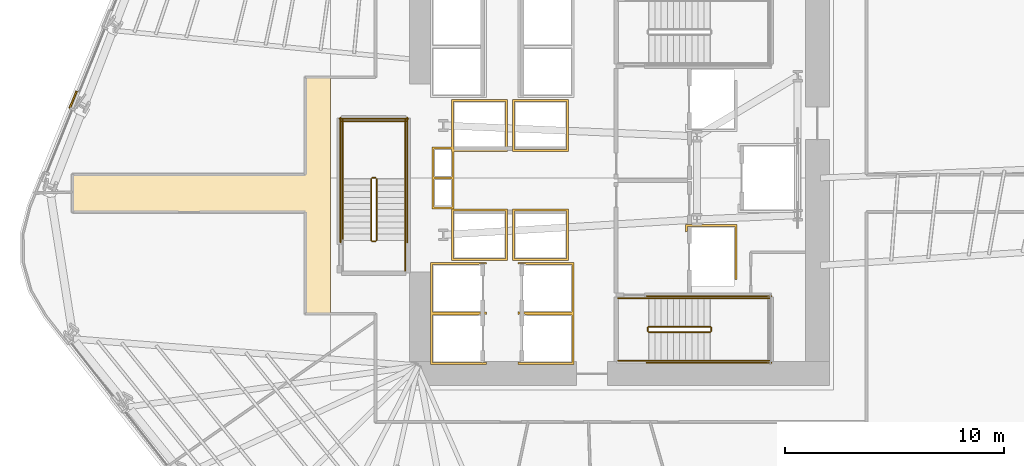
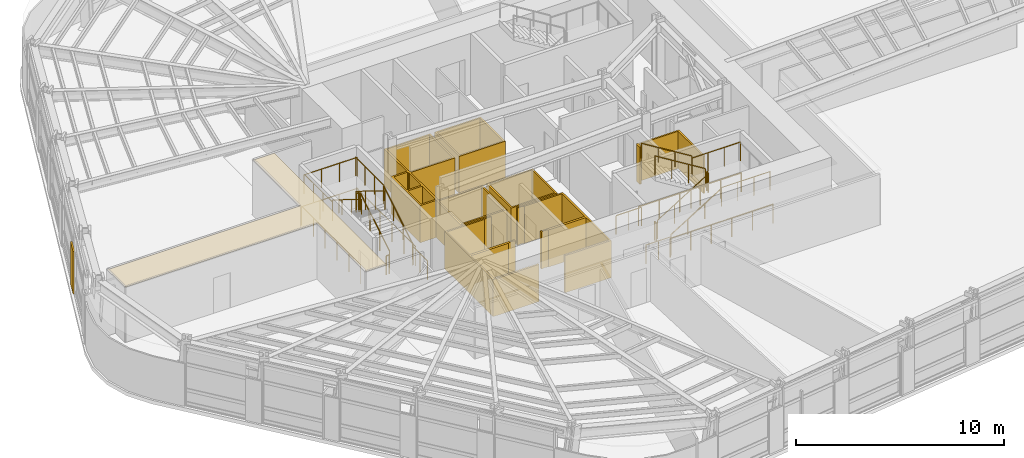
# One storey, part 11 of 16: 25 railings, 9 coverings.
"""IFC4 building model written with IfcOpenShell, lengths in metres."""

from ifc_helpers import new_model, si_unit, direction, frame, origin, origin_2d, place, context, subcontext, project, spatial, polyline, circle, outline, extrude, material, layer, layer_set, type_object, element, save


model = new_model("IFC4")

# Units and contexts
model_context = context("Model", 3, precision=1e-05, world=origin(), true_north=direction((0.0, 1.0)))
body_context = subcontext(model_context, "Body", "Model", "MODEL_VIEW")
ifc_project = project(units=[si_unit("LENGTHUNIT", "METRE"), si_unit("AREAUNIT", "SQUARE_METRE"), si_unit("VOLUMEUNIT", "CUBIC_METRE"), si_unit("PLANEANGLEUNIT", "RADIAN"), si_unit("MASSUNIT", "GRAM", prefix="KILO")], contexts=[model_context])

# Site, building, storey
site_placement = place(None, origin())
site = spatial("IfcSite", under=ifc_project, at=site_placement, CompositionType="ELEMENT")
building_placement = place(site_placement, origin())
building = spatial("IfcBuilding", under=site, at=building_placement, Name="Valkerne Bourse Tower", CompositionType="ELEMENT")
storey_placement = place(building_placement, frame((0.0, 0.0, 58.199951171875)))
storey = spatial("IfcBuildingStorey", under=building, at=storey_placement, Name="L14", CompositionType="ELEMENT", Elevation=58.199951171875)

# Coverings
ifc_material_1 = material(Name="Bronze Anodised Aluminium AA 6063-T6", Category="aluminium")
ifc_layer_1 = layer(ifc_material_1, 0.030029296875)
ifc_layer_set_1 = layer_set([ifc_layer_1], Name="Bronze Anodised Aluminium AA 6063-T6")
covering_type_1 = type_object("IfcCoveringType", Name="COV-CEIL-METAL", PredefinedType="CEILING", material=ifc_layer_set_1)
covering_1_placement = place(storey_placement, frame((0.0, 0.0, 3.22998046875)))
element("IfcCovering", 1, at=covering_1_placement, inside=storey, type_object=covering_type_1, Name="L14 Suspended Ceiling 02", PredefinedType="CEILING", context=body_context, shape_type="SweptSolid", body=[
    extrude(outline(polyline([(32.4541015625, 20.803955078125), (32.4541015625, 25.4541015625), (21.803955078125, 25.4541015625), (21.803955078125, 27.14599609375), (32.4541015625, 27.14599609375), (32.4541015625, 31.595947265625), (33.60009765625, 31.595947265625), (33.60009765625, 20.803955078125), (32.4541015625, 20.803955078125)])), origin(), (0.0, 0.0, 1.0), 0.025146484375),
])
ifc_layer_2 = layer(ifc_material_1, 0.06005859375)
ifc_layer_set_2 = layer_set([ifc_layer_2], Name="Bronze Anodised Aluminium AA 6063-T6")
covering_type_2 = type_object("IfcCoveringType", Name="COV-CRN-ALUM", PredefinedType="CLADDING", material=ifc_layer_set_2)
covering_2_placement = place(storey_placement, origin())
element("IfcCovering", 2, at=covering_2_placement, inside=storey, type_object=covering_type_2, Name="L14 Wind-Shaped Corner Aluminium Cladding 12", PredefinedType="CLADDING", context=body_context, shape_type="SweptSolid", body=[
    extrude(outline(polyline([(21.951416015625, 30.981689453125), (22.025634765625, 30.95166015625), (21.710205078125, 30.173095703125), (21.635986328125, 30.202880859375), (21.951416015625, 30.981689453125)])), origin(), (0.0, 0.0, 1.0), 2.5),
])
ifc_material_2 = material(Name="Gypsum Shaftwall Liner Board", Category="gypsum")
ifc_layer_3 = layer(ifc_material_2, 0.080078125)
ifc_layer_set_3 = layer_set([ifc_layer_3], Name="Gypsum Shaftwall Liner Board")
covering_type_3 = type_object("IfcCoveringType", Name="COV-SHF-CLAD", PredefinedType="CLADDING", material=ifc_layer_set_3)
covering_3_placement = place(storey_placement, origin())
element("IfcCovering", 3, at=covering_3_placement, inside=storey, type_object=covering_type_3, Name="L14 Hoistway & Riser Shaftwall Liner 01", PredefinedType="CLADDING", context=body_context, shape_type="SweptSolid", body=[
    extrude(outline(polyline([(38.169921875, 23.1298828125), (40.72998046875, 23.1298828125), (40.72998046875, 23.052001953125), (40.72216796875, 23.0556640625), (40.6806640625, 23.070556640625), (40.6376953125, 23.081298828125), (40.593994140625, 23.087890625), (40.550048828125, 23.090087890625), (40.505859375, 23.087890625), (40.462158203125, 23.081298828125), (40.41943359375, 23.070556640625), (40.377685546875, 23.0556640625), (40.344482421875, 23.0400390625), (38.260009765625, 23.0400390625), (38.260009765625, 20.860107421875), (40.456787109375, 20.860107421875), (40.462158203125, 20.858642578125), (40.505859375, 20.852294921875), (40.550048828125, 20.85009765625), (40.593994140625, 20.852294921875), (40.6376953125, 20.858642578125), (40.6806640625, 20.869384765625), (40.72216796875, 20.88427734375), (40.72998046875, 20.887939453125), (40.72998046875, 20.830078125), (40.72998046875, 20.77001953125), (40.72998046875, 20.752197265625), (40.72216796875, 20.755615234375), (40.6806640625, 20.7705078125), (40.6376953125, 20.781494140625), (40.593994140625, 20.787841796875), (40.550048828125, 20.7900390625), (40.505859375, 20.787841796875), (40.462158203125, 20.781494140625), (40.41943359375, 20.7705078125), (40.377685546875, 20.755615234375), (40.344482421875, 20.739990234375), (38.260009765625, 20.739990234375), (38.260009765625, 18.56005859375), (40.456787109375, 18.56005859375), (40.462158203125, 18.55859375), (40.505859375, 18.55224609375), (40.550048828125, 18.550048828125), (40.593994140625, 18.55224609375), (40.6376953125, 18.55859375), (40.6806640625, 18.5693359375), (40.72216796875, 18.584228515625), (40.72998046875, 18.587890625), (40.72998046875, 18.469970703125), (38.169921875, 18.469970703125), (38.169921875, 20.77001953125), (38.169921875, 20.830078125), (38.169921875, 23.1298828125)])), origin(), (0.0, 0.0, 1.0), 2.179931640625),
])
covering_4_placement = place(storey_placement, origin())
element("IfcCovering", 4, at=covering_4_placement, inside=storey, type_object=covering_type_3, Name="L14 Hoistway & Riser Shaftwall Liner 02", PredefinedType="CLADDING", context=body_context, shape_type="SweptSolid", body=[
    extrude(outline(polyline([(41.679931640625, 23.219970703125), (39.1201171875, 23.219970703125), (39.1201171875, 25.580078125), (41.679931640625, 25.580078125), (41.679931640625, 23.219970703125)]), holes=[polyline([(39.2099609375, 25.489990234375), (39.2099609375, 23.31005859375), (41.590087890625, 23.31005859375), (41.590087890625, 25.489990234375), (39.2099609375, 25.489990234375)])]), origin(), (0.0, 0.0, 1.0), 2.179931640625),
])
covering_5_placement = place(storey_placement, origin())
element("IfcCovering", 5, at=covering_5_placement, inside=storey, type_object=covering_type_3, Name="L14 Hoistway & Riser Shaftwall Liner 03", PredefinedType="CLADDING", context=body_context, shape_type="SweptSolid", body=[
    extrude(outline(polyline([(44.47998046875, 23.219970703125), (41.919921875, 23.219970703125), (41.919921875, 25.580078125), (44.47998046875, 25.580078125), (44.47998046875, 23.219970703125)]), holes=[polyline([(42.010009765625, 25.489990234375), (42.010009765625, 23.31005859375), (44.389892578125, 23.31005859375), (44.389892578125, 25.489990234375), (42.010009765625, 25.489990234375)])]), origin(), (0.0, 0.0, 1.0), 2.179931640625),
])
covering_6_placement = place(storey_placement, origin())
element("IfcCovering", 6, at=covering_6_placement, inside=storey, type_object=covering_type_3, Name="L14 Hoistway & Riser Shaftwall Liner 04", PredefinedType="CLADDING", context=body_context, shape_type="SweptSolid", body=[
    extrude(outline(polyline([(38.239990234375, 28.409912109375), (39.1201171875, 28.409912109375), (39.1201171875, 30.580078125), (41.679931640625, 30.580078125), (41.679931640625, 28.219970703125), (39.239990234375, 28.219970703125), (39.239990234375, 27.0400390625), (39.239990234375, 26.9599609375), (39.239990234375, 25.590087890625), (38.239990234375, 25.590087890625), (38.239990234375, 26.9599609375), (38.239990234375, 27.0400390625), (38.239990234375, 28.409912109375)]), holes=[polyline([(39.2099609375, 30.489990234375), (39.2099609375, 28.409912109375), (39.239990234375, 28.409912109375), (39.239990234375, 28.31005859375), (41.590087890625, 28.31005859375), (41.590087890625, 30.489990234375), (39.2099609375, 30.489990234375)]), polyline([(38.330078125, 26.949951171875), (38.330078125, 25.679931640625), (39.14990234375, 25.679931640625), (39.14990234375, 26.949951171875), (38.330078125, 26.949951171875)]), polyline([(39.1201171875, 28.219970703125), (39.1201171875, 28.320068359375), (38.330078125, 28.320068359375), (38.330078125, 27.050048828125), (39.14990234375, 27.050048828125), (39.14990234375, 28.219970703125), (39.1201171875, 28.219970703125)])]), origin(), (0.0, 0.0, 1.0), 2.179931640625),
])
covering_7_placement = place(storey_placement, origin())
element("IfcCovering", 7, at=covering_7_placement, inside=storey, type_object=covering_type_3, Name="L14 Hoistway & Riser Shaftwall Liner 06", PredefinedType="CLADDING", context=body_context, shape_type="SweptSolid", body=[
    extrude(outline(polyline([(42.169921875, 20.830078125), (42.169921875, 20.887939453125), (42.177734375, 20.88427734375), (42.219482421875, 20.869384765625), (42.26220703125, 20.858642578125), (42.305908203125, 20.852294921875), (42.35009765625, 20.85009765625), (42.39404296875, 20.852294921875), (42.437744140625, 20.858642578125), (42.443115234375, 20.860107421875), (44.639892578125, 20.860107421875), (44.639892578125, 23.0400390625), (42.555419921875, 23.0400390625), (42.522216796875, 23.0556640625), (42.480712890625, 23.070556640625), (42.437744140625, 23.081298828125), (42.39404296875, 23.087890625), (42.35009765625, 23.090087890625), (42.305908203125, 23.087890625), (42.26220703125, 23.081298828125), (42.219482421875, 23.070556640625), (42.177734375, 23.0556640625), (42.169921875, 23.052001953125), (42.169921875, 23.1298828125), (44.72998046875, 23.1298828125), (44.72998046875, 20.830078125), (44.72998046875, 20.77001953125), (44.72998046875, 18.469970703125), (42.169921875, 18.469970703125), (42.169921875, 18.587890625), (42.177734375, 18.584228515625), (42.219482421875, 18.5693359375), (42.26220703125, 18.55859375), (42.305908203125, 18.55224609375), (42.35009765625, 18.550048828125), (42.39404296875, 18.55224609375), (42.437744140625, 18.55859375), (42.443115234375, 18.56005859375), (44.639892578125, 18.56005859375), (44.639892578125, 20.739990234375), (42.555419921875, 20.739990234375), (42.522216796875, 20.755615234375), (42.480712890625, 20.7705078125), (42.437744140625, 20.781494140625), (42.39404296875, 20.787841796875), (42.35009765625, 20.7900390625), (42.305908203125, 20.787841796875), (42.26220703125, 20.781494140625), (42.219482421875, 20.7705078125), (42.177734375, 20.755615234375), (42.169921875, 20.752197265625), (42.169921875, 20.77001953125), (42.169921875, 20.830078125)])), origin(), (0.0, 0.0, 1.0), 2.179931640625),
])
covering_8_placement = place(storey_placement, origin())
element("IfcCovering", 8, at=covering_8_placement, inside=storey, type_object=covering_type_3, Name="L14 Hoistway & Riser Shaftwall Liner 07", PredefinedType="CLADDING", context=body_context, shape_type="SweptSolid", body=[
    extrude(outline(polyline([(52.179931640625, 22.35009765625), (52.090087890625, 22.35009765625), (52.090087890625, 24.7900390625), (49.909912109375, 24.7900390625), (49.909912109375, 24.560791015625), (49.869384765625, 24.550537109375), (49.827880859375, 24.53564453125), (49.820068359375, 24.531982421875), (49.820068359375, 24.8798828125), (52.179931640625, 24.8798828125), (52.179931640625, 22.35009765625)])), origin(), (0.0, 0.0, 1.0), 2.179931640625),
])
covering_9_placement = place(storey_placement, origin())
element("IfcCovering", 9, at=covering_9_placement, inside=storey, type_object=covering_type_3, Name="L14 Hoistway & Riser Shaftwall Liner 09", PredefinedType="CLADDING", context=body_context, shape_type="SweptSolid", body=[
    extrude(outline(polyline([(44.47998046875, 28.219970703125), (41.919921875, 28.219970703125), (41.919921875, 30.580078125), (44.47998046875, 30.580078125), (44.47998046875, 28.219970703125)]), holes=[polyline([(42.010009765625, 30.489990234375), (42.010009765625, 28.31005859375), (44.389892578125, 28.31005859375), (44.389892578125, 30.489990234375), (42.010009765625, 30.489990234375)])]), origin(), (0.0, 0.0, 1.0), 2.179931640625),
])

# Railings
ifc_material_3 = material(Name="Galvanised Painted Steel", Category="steel")
railing_type_1 = type_object("IfcRailingType", Name="RLG-ST-GUARD-1120", PredefinedType="GUARDRAIL", material=ifc_material_3)
railing_1_placement = place(storey_placement, frame((48.14990234375, 19.949951171875, 0.1728515625)))
element("IfcRailing", 10, at=railing_1_placement, inside=storey, type_object=railing_type_1, Name="L14 ST-1 stair guard 1", PredefinedType="GUARDRAIL", context=body_context, shape_type="SweptSolid", body=[
    extrude(circle(Radius=0.02392578125, at=origin_2d()), frame((0.0, 0.0, 1.09619140625), z_axis=(0.851089632645, 0.0, 0.525020415988), x_axis=(0.0, 1.0, 0.0)), (0.0, 0.0, 1.0), 3.2900390625),
    extrude(circle(Radius=0.02099609375, at=origin_2d()), origin(), (0.0, 0.0, 1.0), 1.072021484375),
    extrude(circle(Radius=0.02099609375, at=origin_2d()), frame((0.933349609375, 0.0, 0.57568359375)), (0.0, 0.0, 1.0), 1.072021484375),
    extrude(circle(Radius=0.02099609375, at=origin_2d()), frame((1.86669921875, 0.0, 1.151611328125)), (0.0, 0.0, 1.0), 1.072021484375),
    extrude(circle(Radius=0.02099609375, at=origin_2d()), frame((2.800048828125, 0.0, 1.727294921875)), (0.0, 0.0, 1.0), 1.072021484375),
])
railing_2_placement = place(storey_placement, frame((51.0, 20.0, 1.900146484375)))
element("IfcRailing", 11, at=railing_2_placement, inside=storey, type_object=railing_type_1, Name="L14 ST-1 stair guard 2", PredefinedType="GUARDRAIL", context=body_context, shape_type="SweptSolid", body=[
    extrude(circle(Radius=0.02392578125, at=origin_2d()), frame((0.0, 0.0, 1.09619140625), z_axis=(0.0, 1.0, 0.0), x_axis=(-1.0, 0.0, 0.0)), (0.0, 0.0, 1.0), 0.14990234375),
    extrude(circle(Radius=0.02099609375, at=origin_2d()), origin(), (0.0, 0.0, 1.0), 1.072021484375),
    extrude(circle(Radius=0.02099609375, at=origin_2d()), frame((0.0, 0.14990234375, 0.0)), (0.0, 0.0, 1.0), 1.072021484375),
])
for number, where, name in (
    (12, (50.949951171875, 18.64990234375, 1.900146484375), "L14 ST-1 stair guard 3"),
    (13, (50.949951171875, 21.5, 1.900146484375), "L14 ST-1 stair guard 4"),
):
    element("IfcRailing", number, at=place(storey_placement, frame(where)), inside=storey, type_object=railing_type_1, Name=name, PredefinedType="GUARDRAIL", context=body_context, shape_type="SweptSolid", body=[
        extrude(circle(Radius=0.02392578125, at=origin_2d()), frame((0.0, 0.0, 1.09619140625), z_axis=(1.0, 0.0, 0.0), x_axis=(0.0, 1.0, 0.0)), (0.0, 0.0, 1.0), 2.699951171875),
        extrude(circle(Radius=0.02099609375, at=origin_2d()), origin(), (0.0, 0.0, 1.0), 1.072021484375),
        extrude(circle(Radius=0.02099609375, at=origin_2d()), frame((0.89990234375, 0.0, 0.0)), (0.0, 0.0, 1.0), 1.072021484375),
        extrude(circle(Radius=0.02099609375, at=origin_2d()), frame((1.800048828125, 0.0, 0.0)), (0.0, 0.0, 1.0), 1.072021484375),
        extrude(circle(Radius=0.02099609375, at=origin_2d()), frame((2.699951171875, 0.0, 0.0)), (0.0, 0.0, 1.0), 1.072021484375),
    ])
railing_3_placement = place(storey_placement, frame((50.949951171875, 20.199951171875, 2.07275390625)))
element("IfcRailing", 14, at=railing_3_placement, inside=storey, type_object=railing_type_1, Name="L14 ST-1 stair guard 6", PredefinedType="GUARDRAIL", context=body_context, shape_type="SweptSolid", body=[
    extrude(circle(Radius=0.02392578125, at=origin_2d()), frame((0.0, 0.0, 1.09619140625), z_axis=(-0.851089632645, 0.0, 0.525020415988), x_axis=(0.0, -1.0, 0.0)), (0.0, 0.0, 1.0), 3.2900390625),
    extrude(circle(Radius=0.02099609375, at=origin_2d()), origin(), (0.0, 0.0, 1.0), 1.072021484375),
    extrude(circle(Radius=0.02099609375, at=origin_2d()), frame((-0.933349609375, 0.0, 0.57568359375)), (0.0, 0.0, 1.0), 1.072021484375),
    extrude(circle(Radius=0.02099609375, at=origin_2d()), frame((-1.86669921875, 0.0, 1.151611328125)), (0.0, 0.0, 1.0), 1.072021484375),
    extrude(circle(Radius=0.02099609375, at=origin_2d()), frame((-2.800048828125, 0.0, 1.727294921875)), (0.0, 0.0, 1.0), 1.072021484375),
])
railing_4_placement = place(storey_placement, frame((48.10009765625, 20.0, 0.0)))
element("IfcRailing", 15, at=railing_4_placement, inside=storey, type_object=railing_type_1, Name="L14 ST-1 stair guard 7", PredefinedType="GUARDRAIL", context=body_context, shape_type="SweptSolid", body=[
    extrude(circle(Radius=0.02392578125, at=origin_2d()), frame((0.0, 0.0, 1.09619140625), z_axis=(0.0, 1.0, 0.0), x_axis=(-1.0, 0.0, 0.0)), (0.0, 0.0, 1.0), 0.14990234375),
    extrude(circle(Radius=0.02099609375, at=origin_2d()), origin(), (0.0, 0.0, 1.0), 1.072021484375),
    extrude(circle(Radius=0.02099609375, at=origin_2d()), frame((0.0, 0.14990234375, 0.0)), (0.0, 0.0, 1.0), 1.072021484375),
])
for number, where, name in (
    (16, (46.75, 18.64990234375, 0.0), "L14 ST-1 stair guard 8"),
    (17, (46.75, 21.5, 0.0), "L14 ST-1 stair guard 9"),
):
    element("IfcRailing", number, at=place(storey_placement, frame(where)), inside=storey, type_object=railing_type_1, Name=name, PredefinedType="GUARDRAIL", context=body_context, shape_type="SweptSolid", body=[
        extrude(circle(Radius=0.02392578125, at=origin_2d()), frame((0.0, 0.0, 1.09619140625), z_axis=(1.0, 0.0, 0.0), x_axis=(0.0, 1.0, 0.0)), (0.0, 0.0, 1.0), 1.39990234375),
        extrude(circle(Radius=0.02099609375, at=origin_2d()), origin(), (0.0, 0.0, 1.0), 1.072021484375),
        extrude(circle(Radius=0.02099609375, at=origin_2d()), frame((0.699951171875, 0.0, 0.0)), (0.0, 0.0, 1.0), 1.072021484375),
        extrude(circle(Radius=0.02099609375, at=origin_2d()), frame((1.39990234375, 0.0, 0.0)), (0.0, 0.0, 1.0), 1.072021484375),
    ])
for number, where, name in (
    (18, (48.050048828125, 18.550048828125, 0.0), "L14 ST-1 stair guard 10"),
    (19, (48.050048828125, 21.60009765625, 0.0), "L14 ST-1 stair guard 11"),
):
    element("IfcRailing", number, at=place(storey_placement, frame(where)), inside=storey, type_object=railing_type_1, Name=name, PredefinedType="GUARDRAIL", context=body_context, shape_type="SweptSolid", body=[
        extrude(circle(Radius=0.02392578125, at=origin_2d()), frame((0.0, 0.0, 1.09619140625), z_axis=(1.0, 0.0, 0.0), x_axis=(0.0, 1.0, 0.0)), (0.0, 0.0, 1.0), 5.699951171875),
        extrude(circle(Radius=0.02099609375, at=origin_2d()), origin(), (0.0, 0.0, 1.0), 1.072021484375),
        extrude(circle(Radius=0.02099609375, at=origin_2d()), frame((1.139892578125, 0.0, 0.0)), (0.0, 0.0, 1.0), 1.072021484375),
        extrude(circle(Radius=0.02099609375, at=origin_2d()), frame((2.280029296875, 0.0, 0.0)), (0.0, 0.0, 1.0), 1.072021484375),
        extrude(circle(Radius=0.02099609375, at=origin_2d()), frame((3.419921875, 0.0, 0.0)), (0.0, 0.0, 1.0), 1.072021484375),
        extrude(circle(Radius=0.02099609375, at=origin_2d()), frame((4.56005859375, 0.0, 0.0)), (0.0, 0.0, 1.0), 1.072021484375),
        extrude(circle(Radius=0.02099609375, at=origin_2d()), frame((5.699951171875, 0.0, 0.0)), (0.0, 0.0, 1.0), 1.072021484375),
    ])
railing_5_placement = place(storey_placement, frame((35.699951171875, 24.14990234375, 0.1728515625)))
element("IfcRailing", 20, at=railing_5_placement, inside=storey, type_object=railing_type_1, Name="L14 ST-3 stair guard 1", PredefinedType="GUARDRAIL", context=body_context, shape_type="SweptSolid", body=[
    extrude(circle(Radius=0.02392578125, at=origin_2d()), frame((0.0, 0.0, 1.09619140625), z_axis=(0.0, 0.851089632645, 0.525020415988), x_axis=(-1.0, 0.0, 0.0)), (0.0, 0.0, 1.0), 3.2900390625),
    extrude(circle(Radius=0.02099609375, at=origin_2d()), origin(), (0.0, 0.0, 1.0), 1.072021484375),
    extrude(circle(Radius=0.02099609375, at=origin_2d()), frame((0.0, 0.933349609375, 0.57568359375)), (0.0, 0.0, 1.0), 1.072021484375),
    extrude(circle(Radius=0.02099609375, at=origin_2d()), frame((0.0, 1.86669921875, 1.151611328125)), (0.0, 0.0, 1.0), 1.072021484375),
    extrude(circle(Radius=0.02099609375, at=origin_2d()), frame((0.0, 2.800048828125, 1.727294921875)), (0.0, 0.0, 1.0), 1.072021484375),
])
railing_6_placement = place(storey_placement, frame((35.64990234375, 27.0, 1.900146484375)))
element("IfcRailing", 21, at=railing_6_placement, inside=storey, type_object=railing_type_1, Name="L14 ST-3 stair guard 2", PredefinedType="GUARDRAIL", context=body_context, shape_type="SweptSolid", body=[
    extrude(circle(Radius=0.02392578125, at=origin_2d()), frame((0.0, 0.0, 1.09619140625), z_axis=(-1.0, 0.0, 0.0), x_axis=(0.0, -1.0, 0.0)), (0.0, 0.0, 1.0), 0.14990234375),
    extrude(circle(Radius=0.02099609375, at=origin_2d()), origin(), (0.0, 0.0, 1.0), 1.072021484375),
    extrude(circle(Radius=0.02099609375, at=origin_2d()), frame((-0.14990234375, 0.0, 0.0)), (0.0, 0.0, 1.0), 1.072021484375),
])
for number, where, name in (
    (22, (37.0, 26.949951171875, 1.900146484375), "L14 ST-3 stair guard 3"),
    (23, (34.14990234375, 26.949951171875, 1.900146484375), "L14 ST-3 stair guard 4"),
):
    element("IfcRailing", number, at=place(storey_placement, frame(where)), inside=storey, type_object=railing_type_1, Name=name, PredefinedType="GUARDRAIL", context=body_context, shape_type="SweptSolid", body=[
        extrude(circle(Radius=0.02392578125, at=origin_2d()), frame((0.0, 0.0, 1.09619140625), z_axis=(0.0, 1.0, 0.0), x_axis=(-1.0, 0.0, 0.0)), (0.0, 0.0, 1.0), 2.699951171875),
        extrude(circle(Radius=0.02099609375, at=origin_2d()), origin(), (0.0, 0.0, 1.0), 1.072021484375),
        extrude(circle(Radius=0.02099609375, at=origin_2d()), frame((0.0, 0.89990234375, 0.0)), (0.0, 0.0, 1.0), 1.072021484375),
        extrude(circle(Radius=0.02099609375, at=origin_2d()), frame((0.0, 1.800048828125, 0.0)), (0.0, 0.0, 1.0), 1.072021484375),
        extrude(circle(Radius=0.02099609375, at=origin_2d()), frame((0.0, 2.699951171875, 0.0)), (0.0, 0.0, 1.0), 1.072021484375),
    ])
railing_7_placement = place(storey_placement, frame((37.050048828125, 29.60009765625, 1.900146484375)))
element("IfcRailing", 24, at=railing_7_placement, inside=storey, type_object=railing_type_1, Name="L14 ST-3 stair guard 5", PredefinedType="GUARDRAIL", context=body_context, shape_type="SweptSolid", body=[
    extrude(circle(Radius=0.02392578125, at=origin_2d()), frame((0.0, 0.0, 1.09619140625), z_axis=(-1.0, 0.0, 0.0), x_axis=(0.0, -1.0, 0.0)), (0.0, 0.0, 1.0), 2.949951171875),
    extrude(circle(Radius=0.02099609375, at=origin_2d()), origin(), (0.0, 0.0, 1.0), 1.072021484375),
    extrude(circle(Radius=0.02099609375, at=origin_2d()), frame((-0.9833984375, 0.0, 0.0)), (0.0, 0.0, 1.0), 1.072021484375),
    extrude(circle(Radius=0.02099609375, at=origin_2d()), frame((-1.966552734375, 0.0, 0.0)), (0.0, 0.0, 1.0), 1.072021484375),
    extrude(circle(Radius=0.02099609375, at=origin_2d()), frame((-2.949951171875, 0.0, 0.0)), (0.0, 0.0, 1.0), 1.072021484375),
])
railing_8_placement = place(storey_placement, frame((35.449951171875, 26.949951171875, 2.07275390625)))
element("IfcRailing", 25, at=railing_8_placement, inside=storey, type_object=railing_type_1, Name="L14 ST-3 stair guard 6", PredefinedType="GUARDRAIL", context=body_context, shape_type="SweptSolid", body=[
    extrude(circle(Radius=0.02392578125, at=origin_2d()), frame((0.0, 0.0, 1.09619140625), z_axis=(0.0, -0.851089632645, 0.525020415988), x_axis=(1.0, 0.0, 0.0)), (0.0, 0.0, 1.0), 3.2900390625),
    extrude(circle(Radius=0.02099609375, at=origin_2d()), origin(), (0.0, 0.0, 1.0), 1.072021484375),
    extrude(circle(Radius=0.02099609375, at=origin_2d()), frame((0.0, -0.933349609375, 0.57568359375)), (0.0, 0.0, 1.0), 1.072021484375),
    extrude(circle(Radius=0.02099609375, at=origin_2d()), frame((0.0, -1.86669921875, 1.151611328125)), (0.0, 0.0, 1.0), 1.072021484375),
    extrude(circle(Radius=0.02099609375, at=origin_2d()), frame((0.0, -2.800048828125, 1.727294921875)), (0.0, 0.0, 1.0), 1.072021484375),
])
railing_9_placement = place(storey_placement, frame((35.64990234375, 24.10009765625, 0.0)))
element("IfcRailing", 26, at=railing_9_placement, inside=storey, type_object=railing_type_1, Name="L14 ST-3 stair guard 7", PredefinedType="GUARDRAIL", context=body_context, shape_type="SweptSolid", body=[
    extrude(circle(Radius=0.02392578125, at=origin_2d()), frame((0.0, 0.0, 1.09619140625), z_axis=(-1.0, 0.0, 0.0), x_axis=(0.0, -1.0, 0.0)), (0.0, 0.0, 1.0), 0.14990234375),
    extrude(circle(Radius=0.02099609375, at=origin_2d()), origin(), (0.0, 0.0, 1.0), 1.072021484375),
    extrude(circle(Radius=0.02099609375, at=origin_2d()), frame((-0.14990234375, 0.0, 0.0)), (0.0, 0.0, 1.0), 1.072021484375),
])
railing_10_placement = place(storey_placement, frame((37.0, 22.75, 0.0)))
element("IfcRailing", 27, at=railing_10_placement, inside=storey, type_object=railing_type_1, Name="L14 ST-3 stair guard 8", PredefinedType="GUARDRAIL", context=body_context, shape_type="SweptSolid", body=[
    extrude(circle(Radius=0.02392578125, at=origin_2d()), frame((0.0, 0.0, 1.09619140625), z_axis=(0.0, 1.0, 0.0), x_axis=(-1.0, 0.0, 0.0)), (0.0, 0.0, 1.0), 1.39990234375),
    extrude(circle(Radius=0.02099609375, at=origin_2d()), origin(), (0.0, 0.0, 1.0), 1.072021484375),
    extrude(circle(Radius=0.02099609375, at=origin_2d()), frame((0.0, 0.699951171875, 0.0)), (0.0, 0.0, 1.0), 1.072021484375),
    extrude(circle(Radius=0.02099609375, at=origin_2d()), frame((0.0, 1.39990234375, 0.0)), (0.0, 0.0, 1.0), 1.072021484375),
])
for number, where, name in (
    (28, (37.10009765625, 24.050048828125, 0.0), "L14 ST-3 stair guard 10"),
    (29, (34.050048828125, 24.050048828125, 0.0), "L14 ST-3 stair guard 11"),
):
    element("IfcRailing", number, at=place(storey_placement, frame(where)), inside=storey, type_object=railing_type_1, Name=name, PredefinedType="GUARDRAIL", context=body_context, shape_type="SweptSolid", body=[
        extrude(circle(Radius=0.02392578125, at=origin_2d()), frame((0.0, 0.0, 1.09619140625), z_axis=(0.0, 1.0, 0.0), x_axis=(-1.0, 0.0, 0.0)), (0.0, 0.0, 1.0), 5.699951171875),
        extrude(circle(Radius=0.02099609375, at=origin_2d()), origin(), (0.0, 0.0, 1.0), 1.072021484375),
        extrude(circle(Radius=0.02099609375, at=origin_2d()), frame((0.0, 1.139892578125, 0.0)), (0.0, 0.0, 1.0), 1.072021484375),
        extrude(circle(Radius=0.02099609375, at=origin_2d()), frame((0.0, 2.280029296875, 0.0)), (0.0, 0.0, 1.0), 1.072021484375),
        extrude(circle(Radius=0.02099609375, at=origin_2d()), frame((0.0, 3.419921875, 0.0)), (0.0, 0.0, 1.0), 1.072021484375),
        extrude(circle(Radius=0.02099609375, at=origin_2d()), frame((0.0, 4.56005859375, 0.0)), (0.0, 0.0, 1.0), 1.072021484375),
        extrude(circle(Radius=0.02099609375, at=origin_2d()), frame((0.0, 5.699951171875, 0.0)), (0.0, 0.0, 1.0), 1.072021484375),
    ])
railing_11_placement = place(storey_placement, frame((37.14990234375, 29.699951171875, 0.0)))
element("IfcRailing", 30, at=railing_11_placement, inside=storey, type_object=railing_type_1, Name="L14 ST-3 stair guard 12", PredefinedType="GUARDRAIL", context=body_context, shape_type="SweptSolid", body=[
    extrude(circle(Radius=0.02392578125, at=origin_2d()), frame((0.0, 0.0, 1.09619140625), z_axis=(-1.0, 0.0, 0.0), x_axis=(0.0, -1.0, 0.0)), (0.0, 0.0, 1.0), 3.14990234375),
    extrude(circle(Radius=0.02099609375, at=origin_2d()), origin(), (0.0, 0.0, 1.0), 1.072021484375),
    extrude(circle(Radius=0.02099609375, at=origin_2d()), frame((-1.050048828125, 0.0, 0.0)), (0.0, 0.0, 1.0), 1.072021484375),
    extrude(circle(Radius=0.02099609375, at=origin_2d()), frame((-2.099853515625, 0.0, 0.0)), (0.0, 0.0, 1.0), 1.072021484375),
    extrude(circle(Radius=0.02099609375, at=origin_2d()), frame((-3.14990234375, 0.0, 0.0)), (0.0, 0.0, 1.0), 1.072021484375),
])
ifc_material_4 = material(Name="Stainless Steel AISI 316", Category="steel")
railing_type_2 = type_object("IfcRailingType", Name="RLG-ST-HANDRAIL-900", PredefinedType="HANDRAIL", material=ifc_material_4)
railing_12_placement = place(storey_placement, frame((48.14990234375, 18.64990234375, 0.345458984375)))
element("IfcRailing", 31, at=railing_12_placement, inside=storey, type_object=railing_type_2, Name="L14 ST-1 stair handrail 1", PredefinedType="HANDRAIL", context=body_context, shape_type="SweptSolid", body=[
    extrude(circle(Radius=0.02392578125, at=origin_2d()), frame((0.0, 0.0, 0.8759765625), z_axis=(0.851089632645, 0.0, 0.525020415988), x_axis=(0.0, 1.0, 0.0)), (0.0, 0.0, 1.0), 3.2900390625),
    extrude(circle(Radius=0.02099609375, at=origin_2d()), origin(), (0.0, 0.0, 1.0), 0.851806640625),
    extrude(circle(Radius=0.02099609375, at=origin_2d()), frame((0.933349609375, 0.0, 0.57568359375)), (0.0, 0.0, 1.0), 0.851806640625),
    extrude(circle(Radius=0.02099609375, at=origin_2d()), frame((1.86669921875, 0.0, 1.151611328125)), (0.0, 0.0, 1.0), 0.851806640625),
    extrude(circle(Radius=0.02099609375, at=origin_2d()), frame((2.800048828125, 0.0, 1.727294921875)), (0.0, 0.0, 1.0), 0.851806640625),
])
railing_13_placement = place(storey_placement, frame((50.949951171875, 21.5, 2.24560546875)))
element("IfcRailing", 32, at=railing_13_placement, inside=storey, type_object=railing_type_2, Name="L14 ST-1 stair handrail 2", PredefinedType="HANDRAIL", context=body_context, shape_type="SweptSolid", body=[
    extrude(circle(Radius=0.02392578125, at=origin_2d()), frame((0.0, 0.0, 0.8759765625), z_axis=(-0.851122791225, 0.0, 0.524966660138), x_axis=(0.0, -1.0, 0.0)), (0.0, 0.0, 1.0), 3.289794921875),
    extrude(circle(Radius=0.02099609375, at=origin_2d()), origin(), (0.0, 0.0, 1.0), 0.851806640625),
    extrude(circle(Radius=0.02099609375, at=origin_2d()), frame((-0.933349609375, 0.0, 0.57568359375)), (0.0, 0.0, 1.0), 0.851806640625),
    extrude(circle(Radius=0.02099609375, at=origin_2d()), frame((-1.86669921875, 0.0, 1.1513671875)), (0.0, 0.0, 1.0), 0.851806640625),
    extrude(circle(Radius=0.02099609375, at=origin_2d()), frame((-2.800048828125, 0.0, 1.72705078125)), (0.0, 0.0, 1.0), 0.851806640625),
])
railing_14_placement = place(storey_placement, frame((37.0, 24.14990234375, 0.345458984375)))
element("IfcRailing", 33, at=railing_14_placement, inside=storey, type_object=railing_type_2, Name="L14 ST-3 stair handrail 1", PredefinedType="HANDRAIL", context=body_context, shape_type="SweptSolid", body=[
    extrude(circle(Radius=0.02392578125, at=origin_2d()), frame((0.0, 0.0, 0.8759765625), z_axis=(0.0, 0.851089632645, 0.525020415988), x_axis=(-1.0, 0.0, 0.0)), (0.0, 0.0, 1.0), 3.2900390625),
    extrude(circle(Radius=0.02099609375, at=origin_2d()), origin(), (0.0, 0.0, 1.0), 0.851806640625),
    extrude(circle(Radius=0.02099609375, at=origin_2d()), frame((0.0, 0.933349609375, 0.57568359375)), (0.0, 0.0, 1.0), 0.851806640625),
    extrude(circle(Radius=0.02099609375, at=origin_2d()), frame((0.0, 1.86669921875, 1.151611328125)), (0.0, 0.0, 1.0), 0.851806640625),
    extrude(circle(Radius=0.02099609375, at=origin_2d()), frame((0.0, 2.800048828125, 1.727294921875)), (0.0, 0.0, 1.0), 0.851806640625),
])
railing_15_placement = place(storey_placement, frame((34.14990234375, 26.949951171875, 2.24560546875)))
element("IfcRailing", 34, at=railing_15_placement, inside=storey, type_object=railing_type_2, Name="L14 ST-3 stair handrail 2", PredefinedType="HANDRAIL", context=body_context, shape_type="SweptSolid", body=[
    extrude(circle(Radius=0.02392578125, at=origin_2d()), frame((0.0, 0.0, 0.8759765625), z_axis=(0.0, -0.851122791225, 0.524966660138), x_axis=(1.0, 0.0, 0.0)), (0.0, 0.0, 1.0), 3.289794921875),
    extrude(circle(Radius=0.02099609375, at=origin_2d()), origin(), (0.0, 0.0, 1.0), 0.851806640625),
    extrude(circle(Radius=0.02099609375, at=origin_2d()), frame((0.0, -0.933349609375, 0.57568359375)), (0.0, 0.0, 1.0), 0.851806640625),
    extrude(circle(Radius=0.02099609375, at=origin_2d()), frame((0.0, -1.86669921875, 1.1513671875)), (0.0, 0.0, 1.0), 0.851806640625),
    extrude(circle(Radius=0.02099609375, at=origin_2d()), frame((0.0, -2.800048828125, 1.72705078125)), (0.0, 0.0, 1.0), 0.851806640625),
])

save(model, "model.ifc")
